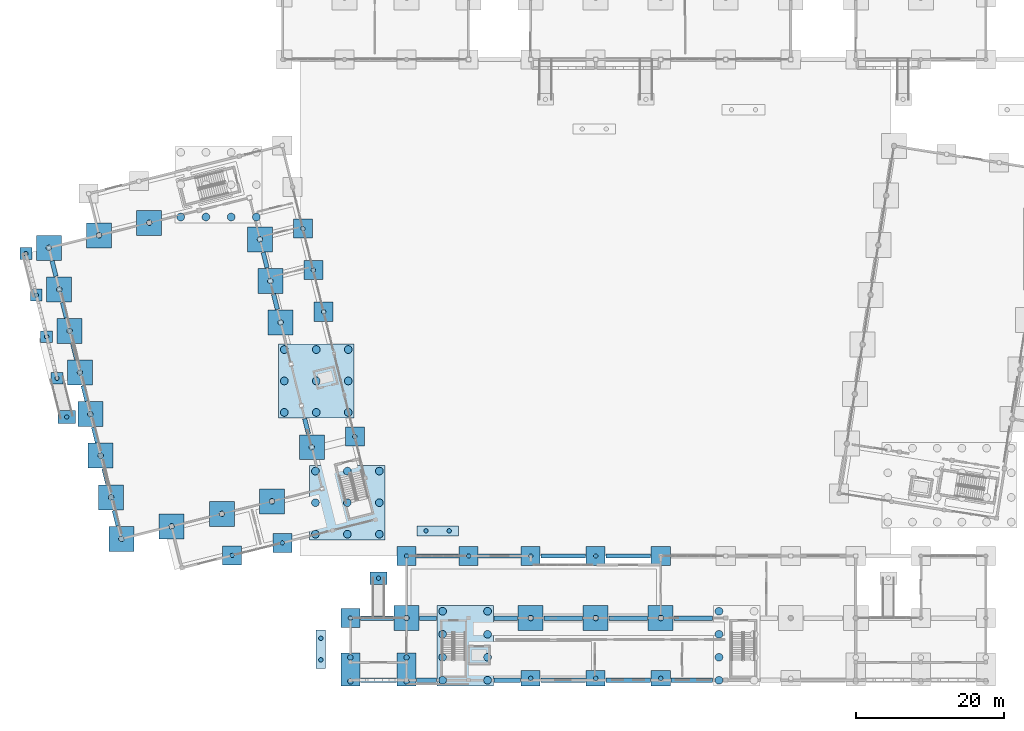
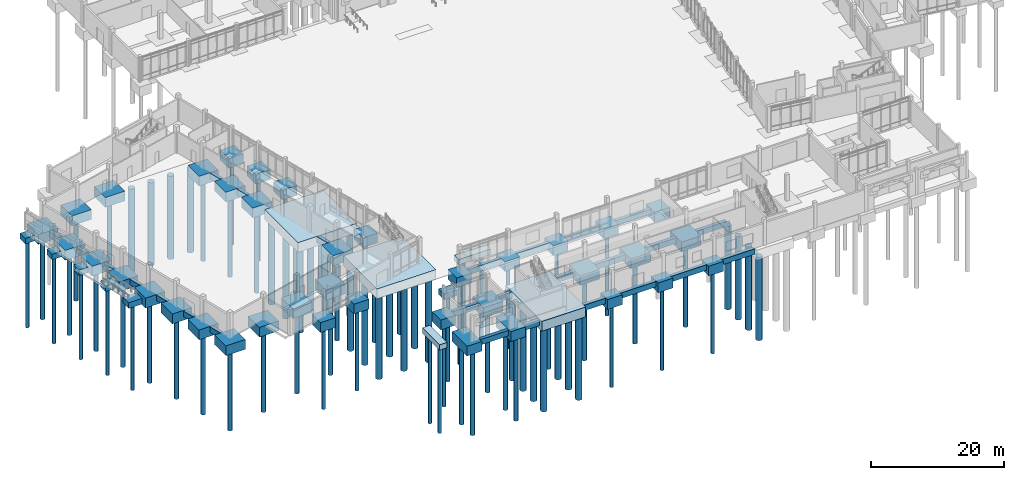
# One storey, part 1 of 72: 83 piles, 75 footings.
"""IFC4 building model written with IfcOpenShell, lengths in metres."""

from ifc_helpers import new_model, si_unit, direction, frame, origin, origin_2d, place, context, subcontext, project, spatial, rectangle, circle, extrude, material, material_profile, profile_set, type_object, element, save


model = new_model("IFC4")

# Units and contexts
model_context = context("Model", 3, precision=1e-05, world=origin(), true_north=direction((0.0, 1.0)))
body_context = subcontext(model_context, "Body", "Model", "MODEL_VIEW")
ifc_project = project(units=[si_unit("LENGTHUNIT", "METRE"), si_unit("AREAUNIT", "SQUARE_METRE"), si_unit("VOLUMEUNIT", "CUBIC_METRE"), si_unit("PLANEANGLEUNIT", "RADIAN"), si_unit("MASSUNIT", "GRAM", prefix="KILO")], contexts=[model_context])

# Site, building, storey
site_placement = place(None, origin())
site = spatial("IfcSite", under=ifc_project, at=site_placement, CompositionType="ELEMENT")
building_placement = place(site_placement, origin())
building = spatial("IfcBuilding", under=site, at=building_placement, Name="Cinderway Yard Community Centre", CompositionType="ELEMENT")
storey_placement = place(building_placement, origin())
storey = spatial("IfcBuildingStorey", under=building, at=storey_placement, Name="L00", CompositionType="ELEMENT", Elevation=0.0)

# Footings
ifc_material = material(Name="Concrete C40/50", Category="concrete")
footing_type_1 = type_object("IfcFootingType", Name="STR-FTG-PAD160", PredefinedType="PAD_FOOTING", material=ifc_material)
for number, where, z_axis, x_axis, name in (
    (1, (11.092041015625, 46.85400390625, -1.0), (0.0, 0.0, 1.0), (1.0, 0.0, 0.0), "Pad footing 07"),
    (2, (9.68896484375, 52.48095703125, -1.0), (0.0, 0.0, 1.0), (1.0, 0.0, 0.0), "Pad footing 08"),
    (3, (8.285888671875, 58.10888671875, -1.0), (0.0, 0.0, 1.0), (1.0, 0.0, 0.0), "Pad footing 09"),
    (4, (6.882080078125, 63.737060546875, -1.0), (0.0, 0.0, 1.0), (1.0, 0.0, 0.0), "Pad footing 10"),
):
    element("IfcFooting", number, at=place(storey_placement, frame(where, z_axis=z_axis, x_axis=x_axis)), inside=storey, type_object=footing_type_1, Name=name, PredefinedType="PAD_FOOTING", context=body_context, shape_type="SweptSolid", body=[
        extrude(rectangle(XDim=1.60009765625, YDim=1.60009765625, at=origin_2d()), origin(), (0.0, 0.0, 1.0), 1.0),
    ])
footing_type_2 = type_object("IfcFootingType", Name="STR-FTG-PC01", PredefinedType="PILE_CAP", material=ifc_material)
for number, where, z_axis, x_axis, name in (
    (5, (50.800048828125, 7.445068359375, -1.7998046875), (0.0, 0.0, 1.0), (1.0, 0.0, 0.0), "Multi-pile cap 001"),
    (6, (58.39990234375, 7.445068359375, -1.7998046875), (0.0, 0.0, 1.0), (1.0, 0.0, 0.0), "Multi-pile cap 002"),
):
    element("IfcFooting", number, at=place(storey_placement, frame(where, z_axis=z_axis, x_axis=x_axis)), inside=storey, type_object=footing_type_2, Name=name, PredefinedType="PILE_CAP", context=body_context, shape_type="SweptSolid", body=[
        extrude(rectangle(XDim=2.580078125, YDim=4.489990234375, at=origin_2d()), origin(), (0.0, 0.0, 1.0), 1.800048828125),
    ])
footing_type_3 = type_object("IfcFootingType", Name="STR-FTG-PC02", PredefinedType="PILE_CAP", material=ifc_material)
footing_1_placement = place(storey_placement, frame((66.324951171875, 10.64501953125, -1.7998046875), z_axis=(0.0, 0.0, 1.0), x_axis=(1.0, 0.0, 0.0)))
element("IfcFooting", 7, at=footing_1_placement, inside=storey, type_object=footing_type_3, Name="Multi-pile cap 003", PredefinedType="PILE_CAP", context=body_context, shape_type="SweptSolid", body=[
    extrude(rectangle(XDim=7.6298828125, YDim=10.889892578125, at=origin_2d()), origin(), (0.0, 0.0, 1.0), 1.800048828125),
])
footing_type_4 = type_object("IfcFootingType", Name="STR-FTG-PC03", PredefinedType="PILE_CAP", material=ifc_material)
for number, where, z_axis, x_axis, name in (
    (8, (75.199951171875, 6.2451171875, -1.7998046875), (0.0, 0.0, 1.0), (1.0, 0.0, 0.0), "Multi-pile cap 004"),
    (9, (84.0, 6.2451171875, -1.7998046875), (0.0, 0.0, 1.0), (1.0, 0.0, 0.0), "Multi-pile cap 005"),
    (10, (92.800048828125, 6.2451171875, -1.7998046875), (0.0, 0.0, 1.0), (1.0, 0.0, 0.0), "Multi-pile cap 006"),
):
    element("IfcFooting", number, at=place(storey_placement, frame(where, z_axis=z_axis, x_axis=x_axis)), inside=storey, type_object=footing_type_4, Name=name, PredefinedType="PILE_CAP", context=body_context, shape_type="SweptSolid", body=[
        extrude(rectangle(XDim=2.580078125, YDim=2.090087890625, at=origin_2d()), origin(), (0.0, 0.0, 1.0), 1.800048828125),
    ])
footing_type_5 = type_object("IfcFootingType", Name="STR-FTG-PC05", PredefinedType="PILE_CAP", material=ifc_material)
for number, where, z_axis, x_axis, name in (
    (11, (58.39990234375, 14.39990234375, -1.7998046875), (0.0, 0.0, 1.0), (1.0, 0.0, 0.0), "Multi-pile cap 012"),
    (12, (75.199951171875, 14.39990234375, -1.7998046875), (0.0, 0.0, 1.0), (1.0, 0.0, 0.0), "Multi-pile cap 013"),
    (13, (84.0, 14.39990234375, -1.7998046875), (0.0, 0.0, 1.0), (1.0, 0.0, 0.0), "Multi-pile cap 014"),
    (14, (92.800048828125, 14.39990234375, -1.7998046875), (0.0, 0.0, 1.0), (1.0, 0.0, 0.0), "Multi-pile cap 015"),
    (15, (19.80908203125, 25.116943359375, -1.7998046875), (0.0, 0.0, 1.0), (1.0, 0.0, 0.0), "Multi-pile cap 033"),
    (16, (26.60205078125, 26.81005859375, -1.7998046875), (0.0, 0.0, 1.0), (1.0, 0.0, 0.0), "Multi-pile cap 035"),
    (17, (33.39404296875, 28.50390625, -1.7998046875), (0.0, 0.0, 1.0), (1.0, 0.0, 0.0), "Multi-pile cap 037"),
    (18, (40.18603515625, 30.197021484375, -1.7998046875), (0.0, 0.0, 1.0), (1.0, 0.0, 0.0), "Multi-pile cap 038"),
    (19, (18.406005859375, 30.7451171875, -1.7998046875), (0.0, 0.0, 1.0), (1.0, 0.0, 0.0), "Multi-pile cap 039"),
    (20, (17.0029296875, 36.3720703125, -1.7998046875), (0.0, 0.0, 1.0), (1.0, 0.0, 0.0), "Multi-pile cap 041"),
    (21, (45.574951171875, 37.51806640625, -1.7998046875), (0.0, 0.0, 1.0), (1.0, 0.0, 0.0), "Multi-pile cap 042"),
    (22, (15.60009765625, 42.0, -1.7998046875), (0.0, 0.0, 1.0), (1.0, 0.0, 0.0), "Multi-pile cap 047"),
    (23, (14.197021484375, 47.6279296875, -1.7998046875), (0.0, 0.0, 1.0), (1.0, 0.0, 0.0), "Multi-pile cap 051"),
    (24, (12.7939453125, 53.2548828125, -1.7998046875), (0.0, 0.0, 1.0), (1.0, 0.0, 0.0), "Multi-pile cap 054"),
    (25, (41.364990234375, 54.402099609375, -1.7998046875), (0.0, 0.0, 1.0), (1.0, 0.0, 0.0), "Multi-pile cap 056"),
    (26, (11.39111328125, 58.883056640625, -1.7998046875), (0.0, 0.0, 1.0), (1.0, 0.0, 0.0), "Multi-pile cap 060"),
    (27, (39.9619140625, 60.029052734375, -1.7998046875), (0.0, 0.0, 1.0), (1.0, 0.0, 0.0), "Multi-pile cap 061"),
    (28, (9.987060546875, 64.510986328125, -1.7998046875), (0.0, 0.0, 1.0), (1.0, 0.0, 0.0), "Multi-pile cap 064"),
    (29, (38.55908203125, 65.656982421875, -1.7998046875), (0.0, 0.0, 1.0), (1.0, 0.0, 0.0), "Multi-pile cap 066"),
    (30, (16.779052734375, 66.2041015625, -1.7998046875), (0.0, 0.0, 1.0), (1.0, 0.0, 0.0), "Multi-pile cap 067"),
    (31, (23.572021484375, 67.89794921875, -1.7998046875), (0.0, 0.0, 1.0), (1.0, 0.0, 0.0), "Multi-pile cap 069"),
):
    element("IfcFooting", number, at=place(storey_placement, frame(where, z_axis=z_axis, x_axis=x_axis)), inside=storey, type_object=footing_type_5, Name=name, PredefinedType="PILE_CAP", context=body_context, shape_type="SweptSolid", body=[
        extrude(rectangle(XDim=3.3798828125, YDim=3.3798828125, at=origin_2d()), origin(), (0.0, 0.0, 1.0), 1.800048828125),
    ])
footing_type_6 = type_object("IfcFootingType", Name="STR-FTG-PC06", PredefinedType="PILE_CAP", material=ifc_material)
for number, where, z_axis, x_axis, name in (
    (32, (50.800048828125, 14.39990234375, -1.7998046875), (0.0, 0.0, 1.0), (1.0, 0.0, 0.0), "Multi-pile cap 018"),
    (33, (58.39990234375, 22.800048828125, -1.7998046875), (0.0, 0.0, 1.0), (1.0, 0.0, 0.0), "Multi-pile cap 021"),
    (34, (66.800048828125, 22.800048828125, -1.7998046875), (0.0, 0.0, 1.0), (1.0, 0.0, 0.0), "Multi-pile cap 022"),
    (35, (75.199951171875, 22.800048828125, -1.7998046875), (0.0, 0.0, 1.0), (1.0, 0.0, 0.0), "Multi-pile cap 023"),
    (36, (84.0, 22.800048828125, -1.7998046875), (0.0, 0.0, 1.0), (1.0, 0.0, 0.0), "Multi-pile cap 024"),
    (37, (92.800048828125, 22.800048828125, -1.7998046875), (0.0, 0.0, 1.0), (1.0, 0.0, 0.0), "Multi-pile cap 025"),
    (38, (34.797119140625, 22.8759765625, -1.7998046875), (0.0, 0.0, 1.0), (1.0, 0.0, 0.0), "Multi-pile cap 031"),
    (39, (41.589111328125, 24.569091796875, -1.7998046875), (0.0, 0.0, 1.0), (1.0, 0.0, 0.0), "Multi-pile cap 032"),
    (40, (51.39599609375, 38.969970703125, -1.7998046875), (0.0, 0.0, 1.0), (1.0, 0.0, 0.0), "Multi-pile cap 044"),
    (41, (47.18701171875, 55.85302734375, -1.7998046875), (0.0, 0.0, 1.0), (1.0, 0.0, 0.0), "Multi-pile cap 058"),
    (42, (45.783935546875, 61.48095703125, -1.7998046875), (0.0, 0.0, 1.0), (1.0, 0.0, 0.0), "Multi-pile cap 063"),
    (43, (44.381103515625, 67.10791015625, -1.7998046875), (0.0, 0.0, 1.0), (1.0, 0.0, 0.0), "Multi-pile cap 068"),
):
    element("IfcFooting", number, at=place(storey_placement, frame(where, z_axis=z_axis, x_axis=x_axis)), inside=storey, type_object=footing_type_6, Name=name, PredefinedType="PILE_CAP", context=body_context, shape_type="SweptSolid", body=[
        extrude(rectangle(XDim=2.580078125, YDim=2.580078125, at=origin_2d()), origin(), (0.0, 0.0, 1.0), 1.800048828125),
    ])
footing_type_7 = type_object("IfcFootingType", Name="STR-FTG-PC07", PredefinedType="PILE_CAP", material=ifc_material)
footing_2_placement = place(storey_placement, frame((50.39111328125, 30.01806640625, -1.7998046875), z_axis=(0.0, 0.0, 1.0), x_axis=(1.0, 0.0, 0.0)))
element("IfcFooting", 44, at=footing_2_placement, inside=storey, type_object=footing_type_7, Name="Multi-pile cap 034", PredefinedType="PILE_CAP", context=body_context, shape_type="SweptSolid", body=[
    extrude(rectangle(XDim=10.205078125, YDim=10.090087890625, at=origin_2d()), origin(), (0.0, 0.0, 1.0), 1.800048828125),
])
footing_type_8 = type_object("IfcFootingType", Name="STR-FTG-PC09", PredefinedType="PILE_CAP", material=ifc_material)
footing_3_placement = place(storey_placement, frame((46.180908203125, 46.486083984375, -1.7998046875), z_axis=(0.0, 0.0, 1.0), x_axis=(1.0, 0.0, 0.0)))
element("IfcFooting", 45, at=footing_3_placement, inside=storey, type_object=footing_type_8, Name="Multi-pile cap 048", PredefinedType="PILE_CAP", context=body_context, shape_type="SweptSolid", body=[
    extrude(rectangle(XDim=10.205078125, YDim=10.05908203125, at=origin_2d()), origin(), (0.0, 0.0, 1.0), 1.800048828125),
])
footing_type_9 = type_object("IfcFootingType", Name="STR-FTG-RMP-04", PredefinedType="PAD_FOOTING", material=ifc_material)
footing_4_placement = place(storey_placement, frame((54.60009765625, 19.800048828125, -1.2001953125), z_axis=(0.0, 0.0, 1.0), x_axis=(1.0, 0.0, 0.0)))
element("IfcFooting", 46, at=footing_4_placement, inside=storey, type_object=footing_type_9, Name="Ramp toe footing 04", PredefinedType="PAD_FOOTING", context=body_context, shape_type="SweptSolid", body=[
    extrude(rectangle(XDim=2.260009765625, YDim=1.659912109375, at=origin_2d()), origin(), (0.0, 0.0, 1.0), 1.030029296875),
])
footing_type_10 = type_object("IfcFootingType", Name="STR-FTG-RMP-06", PredefinedType="PAD_FOOTING", material=ifc_material)
footing_5_placement = place(storey_placement, frame((12.39794921875, 41.614013671875, -1.2001953125), z_axis=(0.0, 0.0, 1.0), x_axis=(1.0, 0.0, 0.0)))
element("IfcFooting", 47, at=footing_5_placement, inside=storey, type_object=footing_type_10, Name="Ramp toe footing 06", PredefinedType="PAD_FOOTING", context=body_context, shape_type="SweptSolid", body=[
    extrude(rectangle(XDim=2.340087890625, YDim=1.739990234375, at=origin_2d()), origin(), (0.0, 0.0, 1.0), 1.030029296875),
])
footing_type_11 = type_object("IfcFootingType", Name="STR-FTG-STRP-01", PredefinedType="STRIP_FOOTING", material=ifc_material)
footing_6_placement = place(storey_placement, frame((46.800048828125, 10.199951171875, -1.0), z_axis=(0.0, 0.0, 1.0), x_axis=(1.0, 0.0, 0.0)))
element("IfcFooting", 48, at=footing_6_placement, inside=storey, type_object=footing_type_11, Name="Strip footing 01", PredefinedType="STRIP_FOOTING", context=body_context, shape_type="SweptSolid", body=[
    extrude(rectangle(XDim=1.300048828125, YDim=5.199951171875, at=origin_2d()), origin(), (0.0, 0.0, 1.0), 1.0),
])
footing_type_12 = type_object("IfcFootingType", Name="STR-FTG-STRP-02", PredefinedType="STRIP_FOOTING", material=ifc_material)
footing_7_placement = place(storey_placement, frame((62.60009765625, 26.199951171875, -1.0), z_axis=(0.0, 0.0, 1.0), x_axis=(1.0, 0.0, 0.0)))
element("IfcFooting", 49, at=footing_7_placement, inside=storey, type_object=footing_type_12, Name="Strip footing 02", PredefinedType="STRIP_FOOTING", context=body_context, shape_type="SweptSolid", body=[
    extrude(rectangle(XDim=5.60009765625, YDim=1.35009765625, at=origin_2d()), origin(), (0.0, 0.0, 1.0), 1.0),
])
footing_type_13 = type_object("IfcFootingType", Name="STR-FTG-TIE600", PredefinedType="FOOTING_BEAM", material=ifc_material)
footing_8_placement = place(storey_placement, frame((54.60009765625, 6.0, -1.0), z_axis=(0.0, 0.0, 1.0), x_axis=(1.0, 0.0, 0.0)))
element("IfcFooting", 50, at=footing_8_placement, inside=storey, type_object=footing_type_13, Name="Seismic tie beam 033", PredefinedType="FOOTING_BEAM", context=body_context, shape_type="SweptSolid", body=[
    extrude(rectangle(XDim=4.860107421875, YDim=0.60009765625, at=origin_2d()), origin(), (0.0, 0.0, 1.0), 1.0),
])
footing_9_placement = place(storey_placement, frame((61.10009765625, 6.0, -1.0), z_axis=(0.0, 0.0, 1.0), x_axis=(1.0, 0.0, 0.0)))
element("IfcFooting", 51, at=footing_9_placement, inside=storey, type_object=footing_type_13, Name="Seismic tie beam 034", PredefinedType="FOOTING_BEAM", context=body_context, shape_type="SweptSolid", body=[
    extrude(rectangle(XDim=2.659912109375, YDim=0.60009765625, at=origin_2d()), origin(), (0.0, 0.0, 1.0), 1.0),
])
footing_10_placement = place(storey_placement, frame((72.02490234375, 6.0, -1.0), z_axis=(0.0, 0.0, 1.0), x_axis=(1.0, 0.0, 0.0)))
element("IfcFooting", 52, at=footing_10_placement, inside=storey, type_object=footing_type_13, Name="Seismic tie beam 035", PredefinedType="FOOTING_BEAM", context=body_context, shape_type="SweptSolid", body=[
    extrude(rectangle(XDim=3.610107421875, YDim=0.60009765625, at=origin_2d()), origin(), (0.0, 0.0, 1.0), 1.0),
])
for number, where, z_axis, x_axis, name in (
    (53, (79.60009765625, 6.0, -1.0), (0.0, 0.0, 1.0), (1.0, 0.0, 0.0), "Seismic tie beam 036"),
    (54, (88.39990234375, 6.0, -1.0), (0.0, 0.0, 1.0), (1.0, 0.0, 0.0), "Seismic tie beam 037"),
):
    element("IfcFooting", number, at=place(storey_placement, frame(where, z_axis=z_axis, x_axis=x_axis)), inside=storey, type_object=footing_type_13, Name=name, PredefinedType="FOOTING_BEAM", context=body_context, shape_type="SweptSolid", body=[
        extrude(rectangle(XDim=6.06005859375, YDim=0.60009765625, at=origin_2d()), origin(), (0.0, 0.0, 1.0), 1.0),
    ])
footing_11_placement = place(storey_placement, frame((97.0, 6.0, -1.0), z_axis=(0.0, 0.0, 1.0), x_axis=(1.0, 0.0, 0.0)))
element("IfcFooting", 55, at=footing_11_placement, inside=storey, type_object=footing_type_13, Name="Seismic tie beam 038", PredefinedType="FOOTING_BEAM", context=body_context, shape_type="SweptSolid", body=[
    extrude(rectangle(XDim=5.659912109375, YDim=0.60009765625, at=origin_2d()), origin(), (0.0, 0.0, 1.0), 1.0),
])
footing_12_placement = place(storey_placement, frame((54.39990234375, 14.39990234375, -1.0), z_axis=(0.0, 0.0, 1.0), x_axis=(1.0, 0.0, 0.0)))
element("IfcFooting", 56, at=footing_12_placement, inside=storey, type_object=footing_type_13, Name="Seismic tie beam 043", PredefinedType="FOOTING_BEAM", context=body_context, shape_type="SweptSolid", body=[
    extrude(rectangle(XDim=4.4599609375, YDim=0.60009765625, at=origin_2d()), origin(), (0.0, 0.0, 1.0), 1.0),
])
footing_13_placement = place(storey_placement, frame((61.300048828125, 14.39990234375, -1.0), z_axis=(0.0, 0.0, 1.0), x_axis=(1.0, 0.0, 0.0)))
element("IfcFooting", 57, at=footing_13_placement, inside=storey, type_object=footing_type_13, Name="Seismic tie beam 044", PredefinedType="FOOTING_BEAM", context=body_context, shape_type="SweptSolid", body=[
    extrude(rectangle(XDim=2.260009765625, YDim=0.60009765625, at=origin_2d()), origin(), (0.0, 0.0, 1.0), 1.0),
])
footing_14_placement = place(storey_placement, frame((71.824951171875, 14.39990234375, -1.0), z_axis=(0.0, 0.0, 1.0), x_axis=(1.0, 0.0, 0.0)))
element("IfcFooting", 58, at=footing_14_placement, inside=storey, type_object=footing_type_13, Name="Seismic tie beam 045", PredefinedType="FOOTING_BEAM", context=body_context, shape_type="SweptSolid", body=[
    extrude(rectangle(XDim=3.2099609375, YDim=0.60009765625, at=origin_2d()), origin(), (0.0, 0.0, 1.0), 1.0),
])
for number, where, z_axis, x_axis, name in (
    (59, (79.60009765625, 14.39990234375, -1.0), (0.0, 0.0, 1.0), (1.0, 0.0, 0.0), "Seismic tie beam 046"),
    (60, (88.39990234375, 14.39990234375, -1.0), (0.0, 0.0, 1.0), (1.0, 0.0, 0.0), "Seismic tie beam 047"),
    (61, (97.199951171875, 14.39990234375, -1.0), (0.0, 0.0, 1.0), (1.0, 0.0, 0.0), "Seismic tie beam 048"),
):
    element("IfcFooting", number, at=place(storey_placement, frame(where, z_axis=z_axis, x_axis=x_axis)), inside=storey, type_object=footing_type_13, Name=name, PredefinedType="FOOTING_BEAM", context=body_context, shape_type="SweptSolid", body=[
        extrude(rectangle(XDim=5.260009765625, YDim=0.60009765625, at=origin_2d()), origin(), (0.0, 0.0, 1.0), 1.0),
    ])
for number, where, z_axis, x_axis, name in (
    (62, (62.60009765625, 22.800048828125, -1.0), (0.0, 0.0, 1.0), (1.0, 0.0, 0.0), "Seismic tie beam 053"),
    (63, (71.0, 22.800048828125, -1.0), (0.0, 0.0, 1.0), (1.0, 0.0, 0.0), "Seismic tie beam 054"),
):
    element("IfcFooting", number, at=place(storey_placement, frame(where, z_axis=z_axis, x_axis=x_axis)), inside=storey, type_object=footing_type_13, Name=name, PredefinedType="FOOTING_BEAM", context=body_context, shape_type="SweptSolid", body=[
        extrude(rectangle(XDim=5.659912109375, YDim=0.60009765625, at=origin_2d()), origin(), (0.0, 0.0, 1.0), 1.0),
    ])
for number, where, z_axis, x_axis, name in (
    (64, (79.60009765625, 22.800048828125, -1.0), (0.0, 0.0, 1.0), (1.0, 0.0, 0.0), "Seismic tie beam 055"),
    (65, (88.39990234375, 22.800048828125, -1.0), (0.0, 0.0, 1.0), (1.0, 0.0, 0.0), "Seismic tie beam 056"),
):
    element("IfcFooting", number, at=place(storey_placement, frame(where, z_axis=z_axis, x_axis=x_axis)), inside=storey, type_object=footing_type_13, Name=name, PredefinedType="FOOTING_BEAM", context=body_context, shape_type="SweptSolid", body=[
        extrude(rectangle(XDim=6.06005859375, YDim=0.60009765625, at=origin_2d()), origin(), (0.0, 0.0, 1.0), 1.0),
    ])
footing_15_placement = place(storey_placement, frame((19.10693359375, 27.930908203125, -1.0), z_axis=(0.0, 0.0, 1.0), x_axis=(-0.2419218956, 0.970295726276, 0.0)))
element("IfcFooting", 66, at=footing_15_placement, inside=storey, type_object=footing_type_13, Name="Seismic tie beam 062", PredefinedType="FOOTING_BEAM", context=body_context, shape_type="SweptSolid", body=[
    extrude(rectangle(XDim=2.152099609375, YDim=0.60009765625, at=origin_2d()), origin(), (0.0, 0.0, 1.0), 1.0),
])
footing_16_placement = place(storey_placement, frame((17.7041015625, 33.55908203125, -1.0), z_axis=(0.0, 0.0, 1.0), x_axis=(-0.2419218956, 0.970295726276, 0.0)))
element("IfcFooting", 67, at=footing_16_placement, inside=storey, type_object=footing_type_13, Name="Seismic tie beam 063", PredefinedType="FOOTING_BEAM", context=body_context, shape_type="SweptSolid", body=[
    extrude(rectangle(XDim=2.15087890625, YDim=0.60009765625, at=origin_2d()), origin(), (0.0, 0.0, 1.0), 1.0),
])
for number, where, z_axis, x_axis, name in (
    (68, (16.301025390625, 39.18603515625, -1.0), (0.0, 0.0, 1.0), (-0.2419218956, 0.970295726276, 0.0), "Seismic tie beam 064"),
    (69, (14.89794921875, 44.81396484375, -1.0), (0.0, 0.0, 1.0), (-0.2419218956, 0.970295726276, 0.0), "Seismic tie beam 065"),
):
    element("IfcFooting", number, at=place(storey_placement, frame(where, z_axis=z_axis, x_axis=x_axis)), inside=storey, type_object=footing_type_13, Name=name, PredefinedType="FOOTING_BEAM", context=body_context, shape_type="SweptSolid", body=[
        extrude(rectangle(XDim=2.152099609375, YDim=0.60009765625, at=origin_2d()), origin(), (0.0, 0.0, 1.0), 1.0),
    ])
footing_17_placement = place(storey_placement, frame((13.4951171875, 50.44091796875, -1.0), z_axis=(0.0, 0.0, 1.0), x_axis=(-0.2419218956, 0.970295726276, 0.0)))
element("IfcFooting", 70, at=footing_17_placement, inside=storey, type_object=footing_type_13, Name="Seismic tie beam 066", PredefinedType="FOOTING_BEAM", context=body_context, shape_type="SweptSolid", body=[
    extrude(rectangle(XDim=2.15087890625, YDim=0.60009765625, at=origin_2d()), origin(), (0.0, 0.0, 1.0), 1.0),
])
for number, where, z_axis, x_axis, name in (
    (71, (12.092041015625, 56.069091796875, -1.0), (0.0, 0.0, 1.0), (-0.2419218956, 0.970295726276, 0.0), "Seismic tie beam 067"),
    (72, (10.68896484375, 61.697021484375, -1.0), (0.0, 0.0, 1.0), (-0.2419218956, 0.970295726276, 0.0), "Seismic tie beam 068"),
    (73, (44.873046875, 40.33203125, -1.0), (0.0, 0.0, 1.0), (-0.2419218956, 0.970295726276, 0.0), "Seismic tie beam 069"),
):
    element("IfcFooting", number, at=place(storey_placement, frame(where, z_axis=z_axis, x_axis=x_axis)), inside=storey, type_object=footing_type_13, Name=name, PredefinedType="FOOTING_BEAM", context=body_context, shape_type="SweptSolid", body=[
        extrude(rectangle(XDim=2.152099609375, YDim=0.60009765625, at=origin_2d()), origin(), (0.0, 0.0, 1.0), 1.0),
    ])
footing_18_placement = place(storey_placement, frame((40.6640625, 57.215087890625, -1.0), z_axis=(0.0, 0.0, 1.0), x_axis=(-0.2419218956, 0.970295726276, 0.0)))
element("IfcFooting", 74, at=footing_18_placement, inside=storey, type_object=footing_type_13, Name="Seismic tie beam 070", PredefinedType="FOOTING_BEAM", context=body_context, shape_type="SweptSolid", body=[
    extrude(rectangle(XDim=2.15087890625, YDim=0.60009765625, at=origin_2d()), origin(), (0.0, 0.0, 1.0), 1.0),
])
footing_19_placement = place(storey_placement, frame((39.260986328125, 62.843017578125, -1.0), z_axis=(0.0, 0.0, 1.0), x_axis=(-0.2419218956, 0.970295726276, 0.0)))
element("IfcFooting", 75, at=footing_19_placement, inside=storey, type_object=footing_type_13, Name="Seismic tie beam 071", PredefinedType="FOOTING_BEAM", context=body_context, shape_type="SweptSolid", body=[
    extrude(rectangle(XDim=2.152099609375, YDim=0.60009765625, at=origin_2d()), origin(), (0.0, 0.0, 1.0), 1.0),
])

# Piles
ifc_material_profile_1 = material_profile(ifc_material, circle(Radius=0.52490234375, at=origin_2d()), Name="Concrete C40/50")
ifc_profile_set_1 = profile_set([ifc_material_profile_1], Name="Concrete C40/50")
pile_type_1 = type_object("IfcPileType", Name="STR-PILE-D1050", PredefinedType="BORED", material=ifc_profile_set_1)
for number, where, z_axis, x_axis, name in (
    (76, (63.284912109375, 5.97509765625, -1.699951171875), (0.0, 0.0, -1.0), (1.0, 0.0, 0.0), "Bored pile 0005"),
    (77, (63.284912109375, 9.087890625, -1.699951171875), (0.0, 0.0, -1.0), (1.0, 0.0, 0.0), "Bored pile 0006"),
    (78, (63.284912109375, 12.201904296875, -1.699951171875), (0.0, 0.0, -1.0), (1.0, 0.0, 0.0), "Bored pile 0007"),
    (79, (63.284912109375, 15.31494140625, -1.699951171875), (0.0, 0.0, -1.0), (1.0, 0.0, 0.0), "Bored pile 0008"),
    (80, (69.364990234375, 5.97509765625, -1.699951171875), (0.0, 0.0, -1.0), (1.0, 0.0, 0.0), "Bored pile 0009"),
    (81, (69.364990234375, 9.087890625, -1.699951171875), (0.0, 0.0, -1.0), (1.0, 0.0, 0.0), "Bored pile 0010"),
    (82, (69.364990234375, 12.201904296875, -1.699951171875), (0.0, 0.0, -1.0), (1.0, 0.0, 0.0), "Bored pile 0011"),
    (83, (69.364990234375, 15.31494140625, -1.699951171875), (0.0, 0.0, -1.0), (1.0, 0.0, 0.0), "Bored pile 0012"),
    (84, (100.68505859375, 5.97509765625, -1.699951171875), (0.0, 0.0, -1.0), (1.0, 0.0, 0.0), "Bored pile 0016"),
    (85, (100.68505859375, 9.087890625, -1.699951171875), (0.0, 0.0, -1.0), (1.0, 0.0, 0.0), "Bored pile 0017"),
    (86, (100.68505859375, 12.201904296875, -1.699951171875), (0.0, 0.0, -1.0), (1.0, 0.0, 0.0), "Bored pile 0018"),
    (87, (100.68505859375, 15.31494140625, -1.699951171875), (0.0, 0.0, -1.0), (1.0, 0.0, 0.0), "Bored pile 0019"),
    (88, (46.06298828125, 25.748046875, -1.699951171875), (0.0, 0.0, -1.0), (1.0, 0.0, 0.0), "Bored pile 0053"),
    (89, (46.06298828125, 30.01806640625, -1.699951171875), (0.0, 0.0, -1.0), (1.0, 0.0, 0.0), "Bored pile 0054"),
    (90, (46.06298828125, 34.2880859375, -1.699951171875), (0.0, 0.0, -1.0), (1.0, 0.0, 0.0), "Bored pile 0055"),
    (91, (50.389892578125, 25.748046875, -1.699951171875), (0.0, 0.0, -1.0), (1.0, 0.0, 0.0), "Bored pile 0056"),
    (92, (50.389892578125, 30.01806640625, -1.699951171875), (0.0, 0.0, -1.0), (1.0, 0.0, 0.0), "Bored pile 0057"),
    (93, (50.389892578125, 34.2880859375, -1.699951171875), (0.0, 0.0, -1.0), (1.0, 0.0, 0.0), "Bored pile 0058"),
    (94, (54.718017578125, 25.748046875, -1.699951171875), (0.0, 0.0, -1.0), (1.0, 0.0, 0.0), "Bored pile 0059"),
    (95, (54.718017578125, 30.01806640625, -1.699951171875), (0.0, 0.0, -1.0), (1.0, 0.0, 0.0), "Bored pile 0060"),
    (96, (54.718017578125, 34.2880859375, -1.699951171875), (0.0, 0.0, -1.0), (1.0, 0.0, 0.0), "Bored pile 0061"),
    (97, (41.85302734375, 42.23095703125, -1.699951171875), (0.0, 0.0, -1.0), (1.0, 0.0, 0.0), "Bored pile 0098"),
    (98, (41.85302734375, 46.486083984375, -1.699951171875), (0.0, 0.0, -1.0), (1.0, 0.0, 0.0), "Bored pile 0099"),
    (99, (41.85302734375, 50.739990234375, -1.699951171875), (0.0, 0.0, -1.0), (1.0, 0.0, 0.0), "Bored pile 0100"),
    (100, (46.180908203125, 42.23095703125, -1.699951171875), (0.0, 0.0, -1.0), (1.0, 0.0, 0.0), "Bored pile 0101"),
    (101, (46.180908203125, 46.486083984375, -1.699951171875), (0.0, 0.0, -1.0), (1.0, 0.0, 0.0), "Bored pile 0102"),
    (102, (46.180908203125, 50.739990234375, -1.699951171875), (0.0, 0.0, -1.0), (1.0, 0.0, 0.0), "Bored pile 0103"),
    (103, (50.508056640625, 42.23095703125, -1.699951171875), (0.0, 0.0, -1.0), (1.0, 0.0, 0.0), "Bored pile 0104"),
    (104, (50.508056640625, 46.486083984375, -1.699951171875), (0.0, 0.0, -1.0), (1.0, 0.0, 0.0), "Bored pile 0105"),
    (105, (50.508056640625, 50.739990234375, -1.699951171875), (0.0, 0.0, -1.0), (1.0, 0.0, 0.0), "Bored pile 0106"),
    (106, (27.8330078125, 68.676025390625, -1.699951171875), (0.0, 0.0, -1.0), (1.0, 0.0, 0.0), "Bored pile 0143"),
    (107, (31.24609375, 68.676025390625, -1.699951171875), (0.0, 0.0, -1.0), (1.0, 0.0, 0.0), "Bored pile 0146"),
    (108, (34.657958984375, 68.676025390625, -1.699951171875), (0.0, 0.0, -1.0), (1.0, 0.0, 0.0), "Bored pile 0149"),
    (109, (38.071044921875, 68.676025390625, -1.699951171875), (0.0, 0.0, -1.0), (1.0, 0.0, 0.0), "Bored pile 0152"),
):
    element("IfcPile", number, at=place(storey_placement, frame(where, z_axis=z_axis, x_axis=x_axis)), inside=storey, type_object=pile_type_1, Name=name, PredefinedType="BORED", context=body_context, shape_type="SweptSolid", body=[
        extrude(circle(Radius=0.52490234375, at=origin_2d()), origin(), (0.0, 0.0, 1.0), 15.300048828125),
    ])
ifc_material_profile_2 = material_profile(ifc_material, circle(Radius=0.300048828125, at=origin_2d()), Name="Concrete C40/50")
ifc_profile_set_2 = profile_set([ifc_material_profile_2], Name="Concrete C40/50")
pile_type_2 = type_object("IfcPileType", Name="STR-PILE-D600", PredefinedType="BORED", material=ifc_profile_set_2)
for number, where, z_axis, x_axis, name in (
    (110, (75.199951171875, 6.2451171875, -1.699951171875), (0.0, 0.0, -1.0), (1.0, 0.0, 0.0), "Bored pile 0013"),
    (111, (84.0, 6.2451171875, -1.699951171875), (0.0, 0.0, -1.0), (1.0, 0.0, 0.0), "Bored pile 0014"),
    (112, (92.800048828125, 6.2451171875, -1.699951171875), (0.0, 0.0, -1.0), (1.0, 0.0, 0.0), "Bored pile 0015"),
    (113, (50.800048828125, 14.39990234375, -1.699951171875), (0.0, 0.0, -1.0), (1.0, 0.0, 0.0), "Bored pile 0037"),
    (114, (58.39990234375, 22.800048828125, -1.699951171875), (0.0, 0.0, -1.0), (1.0, 0.0, 0.0), "Bored pile 0040"),
    (115, (66.800048828125, 22.800048828125, -1.699951171875), (0.0, 0.0, -1.0), (1.0, 0.0, 0.0), "Bored pile 0041"),
    (116, (75.199951171875, 22.800048828125, -1.699951171875), (0.0, 0.0, -1.0), (1.0, 0.0, 0.0), "Bored pile 0042"),
    (117, (84.0, 22.800048828125, -1.699951171875), (0.0, 0.0, -1.0), (1.0, 0.0, 0.0), "Bored pile 0043"),
    (118, (34.797119140625, 22.8759765625, -1.699951171875), (0.0, 0.0, -1.0), (1.0, 0.0, 0.0), "Bored pile 0050"),
    (119, (41.589111328125, 24.569091796875, -1.699951171875), (0.0, 0.0, -1.0), (1.0, 0.0, 0.0), "Bored pile 0051"),
    (120, (51.39599609375, 38.969970703125, -1.699951171875), (0.0, 0.0, -1.0), (1.0, 0.0, 0.0), "Bored pile 0094"),
    (121, (47.18701171875, 55.85302734375, -1.699951171875), (0.0, 0.0, -1.0), (1.0, 0.0, 0.0), "Bored pile 0116"),
    (122, (45.783935546875, 61.48095703125, -1.699951171875), (0.0, 0.0, -1.0), (1.0, 0.0, 0.0), "Bored pile 0136"),
    (123, (44.381103515625, 67.10791015625, -1.699951171875), (0.0, 0.0, -1.0), (1.0, 0.0, 0.0), "Bored pile 0141"),
):
    element("IfcPile", number, at=place(storey_placement, frame(where, z_axis=z_axis, x_axis=x_axis)), inside=storey, type_object=pile_type_2, Name=name, PredefinedType="BORED", context=body_context, shape_type="SweptSolid", body=[
        extrude(circle(Radius=0.300048828125, at=origin_2d()), origin(), (0.0, 0.0, 1.0), 15.300048828125),
    ])
for number, where, z_axis, x_axis, name in (
    (124, (11.092041015625, 46.85400390625, -0.89990234375), (0.0, 0.0, -1.0), (1.0, 0.0, 0.0), "Bored pile 0258"),
    (125, (9.68896484375, 52.48095703125, -0.89990234375), (0.0, 0.0, -1.0), (1.0, 0.0, 0.0), "Bored pile 0259"),
    (126, (8.285888671875, 58.10888671875, -0.89990234375), (0.0, 0.0, -1.0), (1.0, 0.0, 0.0), "Bored pile 0260"),
    (127, (6.882080078125, 63.737060546875, -0.89990234375), (0.0, 0.0, -1.0), (1.0, 0.0, 0.0), "Bored pile 0261"),
    (128, (46.800048828125, 8.743896484375, -0.89990234375), (0.0, 0.0, -1.0), (1.0, 0.0, 0.0), "Bored pile 0262"),
    (129, (46.800048828125, 11.656005859375, -0.89990234375), (0.0, 0.0, -1.0), (1.0, 0.0, 0.0), "Bored pile 0263"),
    (130, (61.031982421875, 26.199951171875, -0.89990234375), (0.0, 0.0, -1.0), (1.0, 0.0, 0.0), "Bored pile 0264"),
    (131, (64.16796875, 26.199951171875, -0.89990234375), (0.0, 0.0, -1.0), (1.0, 0.0, 0.0), "Bored pile 0265"),
):
    element("IfcPile", number, at=place(storey_placement, frame(where, z_axis=z_axis, x_axis=x_axis)), inside=storey, type_object=pile_type_2, Name=name, PredefinedType="BORED", context=body_context, shape_type="SweptSolid", body=[
        extrude(circle(Radius=0.300048828125, at=origin_2d()), origin(), (0.0, 0.0, 1.0), 16.10009765625),
    ])
for number, where, z_axis, x_axis, name in (
    (132, (54.60009765625, 19.800048828125, -1.10009765625), (0.0, 0.0, -1.0), (1.0, 0.0, 0.0), "Bored pile 0275"),
    (133, (12.39794921875, 41.614013671875, -1.10009765625), (0.0, 0.0, -1.0), (1.0, 0.0, 0.0), "Bored pile 0277"),
):
    element("IfcPile", number, at=place(storey_placement, frame(where, z_axis=z_axis, x_axis=x_axis)), inside=storey, type_object=pile_type_2, Name=name, PredefinedType="BORED", context=body_context, shape_type="SweptSolid", body=[
        extrude(circle(Radius=0.300048828125, at=origin_2d()), origin(), (0.0, 0.0, 1.0), 15.89990234375),
    ])
ifc_material_profile_3 = material_profile(ifc_material, circle(Radius=0.375, at=origin_2d()), Name="Concrete C40/50")
ifc_profile_set_3 = profile_set([ifc_material_profile_3], Name="Concrete C40/50")
pile_type_3 = type_object("IfcPileType", Name="STR-PILE-D750", PredefinedType="BORED", material=ifc_profile_set_3)
for number, where, z_axis, x_axis, name in (
    (134, (50.800048828125, 5.824951171875, -1.699951171875), (0.0, 0.0, -1.0), (1.0, 0.0, 0.0), "Bored pile 0001"),
    (135, (50.800048828125, 9.06494140625, -1.699951171875), (0.0, 0.0, -1.0), (1.0, 0.0, 0.0), "Bored pile 0002"),
    (136, (58.39990234375, 5.824951171875, -1.699951171875), (0.0, 0.0, -1.0), (1.0, 0.0, 0.0), "Bored pile 0003"),
    (137, (58.39990234375, 9.06494140625, -1.699951171875), (0.0, 0.0, -1.0), (1.0, 0.0, 0.0), "Bored pile 0004"),
    (138, (58.39990234375, 14.39990234375, -1.699951171875), (0.0, 0.0, -1.0), (1.0, 0.0, 0.0), "Bored pile 0031"),
    (139, (75.199951171875, 14.39990234375, -1.699951171875), (0.0, 0.0, -1.0), (1.0, 0.0, 0.0), "Bored pile 0032"),
    (140, (84.0, 14.39990234375, -1.699951171875), (0.0, 0.0, -1.0), (1.0, 0.0, 0.0), "Bored pile 0033"),
    (141, (92.800048828125, 14.39990234375, -1.699951171875), (0.0, 0.0, -1.0), (1.0, 0.0, 0.0), "Bored pile 0034"),
    (142, (19.80908203125, 25.116943359375, -1.699951171875), (0.0, 0.0, -1.0), (1.0, 0.0, 0.0), "Bored pile 0052"),
    (143, (26.60205078125, 26.81005859375, -1.699951171875), (0.0, 0.0, -1.0), (1.0, 0.0, 0.0), "Bored pile 0062"),
    (144, (33.39404296875, 28.50390625, -1.699951171875), (0.0, 0.0, -1.0), (1.0, 0.0, 0.0), "Bored pile 0087"),
    (145, (40.18603515625, 30.197021484375, -1.699951171875), (0.0, 0.0, -1.0), (1.0, 0.0, 0.0), "Bored pile 0088"),
    (146, (18.406005859375, 30.7451171875, -1.699951171875), (0.0, 0.0, -1.0), (1.0, 0.0, 0.0), "Bored pile 0089"),
    (147, (17.0029296875, 36.3720703125, -1.699951171875), (0.0, 0.0, -1.0), (1.0, 0.0, 0.0), "Bored pile 0091"),
    (148, (45.574951171875, 37.51806640625, -1.699951171875), (0.0, 0.0, -1.0), (1.0, 0.0, 0.0), "Bored pile 0092"),
    (149, (15.60009765625, 42.0, -1.699951171875), (0.0, 0.0, -1.0), (1.0, 0.0, 0.0), "Bored pile 0097"),
    (150, (14.197021484375, 47.6279296875, -1.699951171875), (0.0, 0.0, -1.0), (1.0, 0.0, 0.0), "Bored pile 0109"),
    (151, (12.7939453125, 53.2548828125, -1.699951171875), (0.0, 0.0, -1.0), (1.0, 0.0, 0.0), "Bored pile 0112"),
    (152, (41.364990234375, 54.402099609375, -1.699951171875), (0.0, 0.0, -1.0), (1.0, 0.0, 0.0), "Bored pile 0114"),
    (153, (11.39111328125, 58.883056640625, -1.699951171875), (0.0, 0.0, -1.0), (1.0, 0.0, 0.0), "Bored pile 0118"),
    (154, (39.9619140625, 60.029052734375, -1.699951171875), (0.0, 0.0, -1.0), (1.0, 0.0, 0.0), "Bored pile 0119"),
    (155, (9.987060546875, 64.510986328125, -1.699951171875), (0.0, 0.0, -1.0), (1.0, 0.0, 0.0), "Bored pile 0137"),
    (156, (38.55908203125, 65.656982421875, -1.699951171875), (0.0, 0.0, -1.0), (1.0, 0.0, 0.0), "Bored pile 0139"),
    (157, (16.779052734375, 66.2041015625, -1.699951171875), (0.0, 0.0, -1.0), (1.0, 0.0, 0.0), "Bored pile 0140"),
    (158, (23.572021484375, 67.89794921875, -1.699951171875), (0.0, 0.0, -1.0), (1.0, 0.0, 0.0), "Bored pile 0142"),
):
    element("IfcPile", number, at=place(storey_placement, frame(where, z_axis=z_axis, x_axis=x_axis)), inside=storey, type_object=pile_type_3, Name=name, PredefinedType="BORED", context=body_context, shape_type="SweptSolid", body=[
        extrude(circle(Radius=0.375, at=origin_2d()), origin(), (0.0, 0.0, 1.0), 15.300048828125),
    ])

save(model, "model.ifc")
